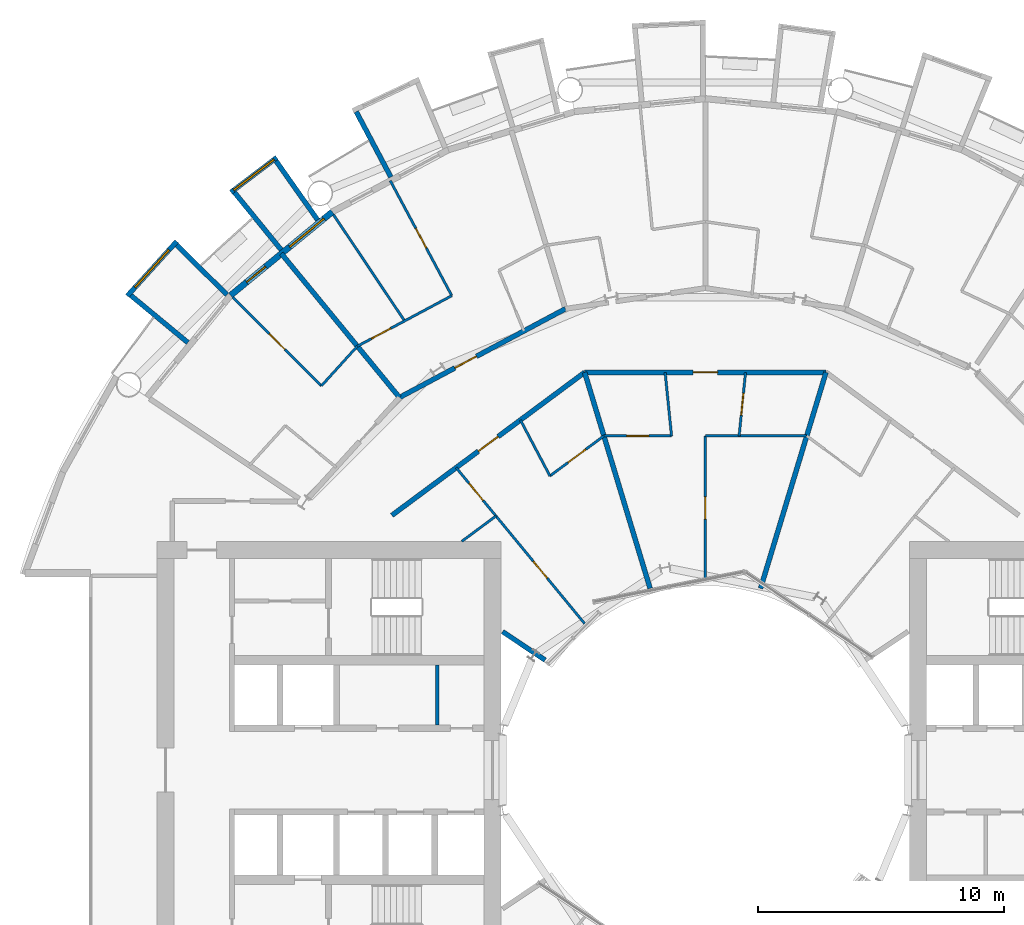
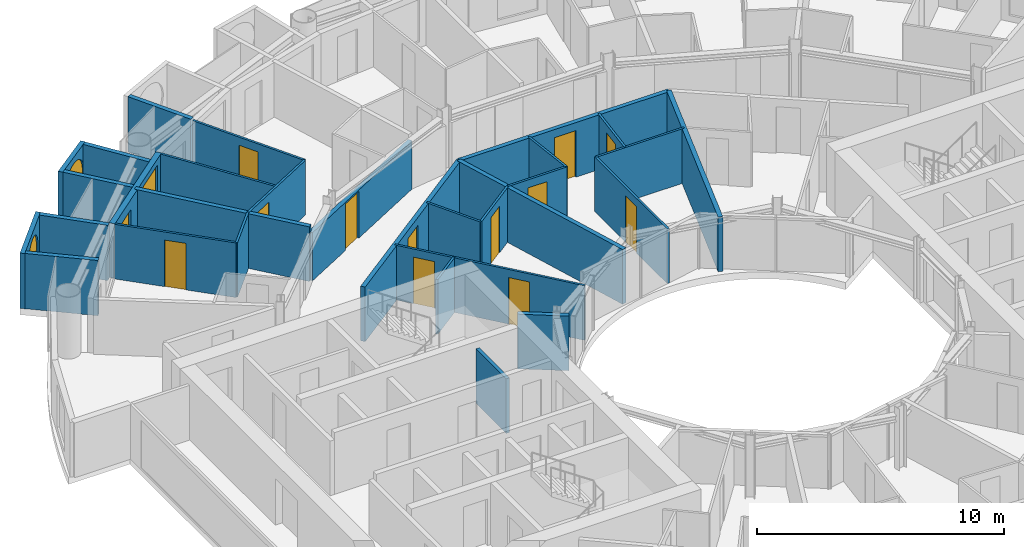
# One storey, part 19 of 26: 30 walls, 13 doors, 3 windows, 16 openings.
"""IFC4 building model written with IfcOpenShell, lengths in metres."""

from ifc_helpers import new_model, si_unit, direction, frame, frame_2d, origin, place, context, subcontext, project, spatial, rectangle, circle, extrude, material, layer, layer_set, type_object, element, fill, save


model = new_model("IFC4")

# Units and contexts
model_context = context("Model", 3, precision=1e-05, world=origin(), true_north=direction((0.0, 1.0)))
body_context = subcontext(model_context, "Body", "Model", "MODEL_VIEW")
ifc_project = project(units=[si_unit("LENGTHUNIT", "METRE"), si_unit("AREAUNIT", "SQUARE_METRE"), si_unit("VOLUMEUNIT", "CUBIC_METRE"), si_unit("PLANEANGLEUNIT", "RADIAN"), si_unit("MASSUNIT", "GRAM", prefix="KILO")], contexts=[model_context])

# Site, building, storey
site_placement = place(None, origin())
site = spatial("IfcSite", under=ifc_project, at=site_placement, CompositionType="ELEMENT")
building_placement = place(site_placement, origin())
building = spatial("IfcBuilding", under=site, at=building_placement, Name="Maasbend Ring Residences", CompositionType="ELEMENT")
storey_placement = place(building_placement, frame((0.0, 0.0, 78.85009765625)))
storey = spatial("IfcBuildingStorey", under=building, at=storey_placement, Name="L22", CompositionType="ELEMENT", Elevation=78.85009765625)

# Wall, opening, door
ifc_material_1 = material(Name="Concrete C30/37", Category="concrete")
ifc_layer_1 = layer(ifc_material_1, 0.199951171875)
ifc_layer_set_1 = layer_set([ifc_layer_1], Name="Concrete C30/37")
wall_type_1 = type_object("IfcWallType", Name="CORRIDOR WALL 200 CONCRETE", PredefinedType="PARTITIONING", material=ifc_layer_set_1)
wall_1_placement = place(storey_placement, frame((-12.7451171875, 10.35791015625, 0.0), z_axis=(0.0, 0.0, 1.0), x_axis=(0.803191461888, 0.595720971219, 0.0)))
wall_1 = element("IfcWall", 1, at=wall_1_placement, inside=storey, type_object=wall_type_1, Name="U-L22-w104", PredefinedType="PARTITIONING", context=body_context, shape_type="SweptSolid", body=[
    extrude(rectangle(XDim=9.760009765625, YDim=0.199951171875, at=frame_2d((4.8798828125, 0.0))), origin(), (0.0, 0.0, 1.0), 2.699951171875),
])
opening_1_placement = place(wall_1_placement, frame((4.3798828125, 0.0, 0.0)))
opening_1 = element("IfcOpeningElement", 2, at=opening_1_placement, cuts=wall_1, Name="Opening D-2229", PredefinedType="OPENING", context=body_context, shape_type="SweptSolid", body=[
    extrude(rectangle(XDim=1.0, YDim=2.300048828125, at=frame_2d((0.5, 1.14990234375))), frame((0.0, 0.10986328125, 0.0), z_axis=(0.0, -1.0, 0.0), x_axis=(1.0, 0.0, 0.0)), (0.0, 0.0, 1.0), 0.219970703125),
])
ifc_material_2 = material(Name="Timber, fire-rated, painted", Category="wood")
door_type_1 = type_object("IfcDoorType", Name="FLAT ENTRANCE DOOR 1000 X 2300 FIRE-RATED", OperationType="NOTDEFINED", PredefinedType="DOOR", material=ifc_material_2)
door_1_placement = place(opening_1_placement, origin())
door_1 = element("IfcDoor", 3, at=door_1_placement, inside=storey, type_object=door_type_1, Name="D-2229", OperationType="SINGLE_SWING_RIGHT", OverallHeight=2.300048828125, OverallWidth=1.0, PredefinedType="DOOR", context=body_context, shape_type="SweptSolid", body=[
    extrude(rectangle(XDim=1.0, YDim=2.300048828125, at=frame_2d((0.5, 1.14990234375))), frame((0.0, 0.02490234375, 0.0), z_axis=(0.0, -1.0, 0.0), x_axis=(1.0, 0.0, 0.0)), (0.0, 0.0, 1.0), 0.050048828125),
])
fill(opening_1, door_1)

wall_2_placement = place(storey_placement, frame((-4.906005859375, 16.172119140625, 0.0), z_axis=(0.0, 0.0, 1.0), x_axis=(1.0, 0.0, 0.0)))
wall_2 = element("IfcWall", 4, at=wall_2_placement, inside=storey, type_object=wall_type_1, Name="U-L22-w106", PredefinedType="PARTITIONING", context=body_context, shape_type="SweptSolid", body=[
    extrude(rectangle(XDim=9.81201171875, YDim=0.199951171875, at=frame_2d((4.906005859375, 0.0))), origin(), (0.0, 0.0, 1.0), 2.699951171875),
])
opening_2_placement = place(wall_2_placement, frame((4.406005859375, 0.0, 0.0)))
opening_2 = element("IfcOpeningElement", 5, at=opening_2_placement, cuts=wall_2, Name="Opening D-2225", PredefinedType="OPENING", context=body_context, shape_type="SweptSolid", body=[
    extrude(rectangle(XDim=1.0, YDim=2.300048828125, at=frame_2d((0.5, 1.14990234375))), frame((0.0, 0.10986328125, 0.0), z_axis=(0.0, -1.0, 0.0), x_axis=(1.0, 0.0, 0.0)), (0.0, 0.0, 1.0), 0.219970703125),
])
door_2_placement = place(opening_2_placement, origin())
door_2 = element("IfcDoor", 6, at=door_2_placement, inside=storey, type_object=door_type_1, Name="D-2225", OperationType="SINGLE_SWING_LEFT", OverallHeight=2.300048828125, OverallWidth=1.0, PredefinedType="DOOR", context=body_context, shape_type="SweptSolid", body=[
    extrude(rectangle(XDim=1.0, YDim=2.300048828125, at=frame_2d((0.5, 1.14990234375))), frame((0.0, 0.02490234375, 0.0), z_axis=(0.0, -1.0, 0.0), x_axis=(1.0, 0.0, 0.0)), (0.0, 0.0, 1.0), 0.050048828125),
])
fill(opening_2, door_2)

wall_3_placement = place(storey_placement, frame((-12.43408203125, 15.15087890625, 0.0), z_axis=(0.0, 0.0, 1.0), x_axis=(0.881899173092, 0.47143806433, 0.0)))
wall_3 = element("IfcWall", 7, at=wall_3_placement, inside=storey, type_object=wall_type_1, Name="U-L22-w107", PredefinedType="PARTITIONING", context=body_context, shape_type="SweptSolid", body=[
    extrude(rectangle(XDim=7.647216796875, YDim=0.199951171875, at=frame_2d((3.82373046875, 0.0))), origin(), (0.0, 0.0, 1.0), 2.3798828125),
])
opening_3_placement = place(wall_3_placement, frame((2.550048828125, 0.0, 0.0)))
opening_3 = element("IfcOpeningElement", 8, at=opening_3_placement, cuts=wall_3, Name="Opening D-2214", PredefinedType="OPENING", context=body_context, shape_type="SweptSolid", body=[
    extrude(rectangle(XDim=1.0, YDim=2.300048828125, at=frame_2d((0.5, 1.14990234375))), frame((0.0, 0.10986328125, 0.0), z_axis=(0.0, -1.0, 0.0), x_axis=(1.0, 0.0, 0.0)), (0.0, 0.0, 1.0), 0.219970703125),
])
door_3_placement = place(opening_3_placement, origin())
door_3 = element("IfcDoor", 9, at=door_3_placement, inside=storey, type_object=door_type_1, Name="D-2214", OperationType="SINGLE_SWING_LEFT", OverallHeight=2.300048828125, OverallWidth=1.0, PredefinedType="DOOR", context=body_context, shape_type="SweptSolid", body=[
    extrude(rectangle(XDim=1.0, YDim=2.300048828125, at=frame_2d((0.5, 1.14990234375))), frame((0.0, 0.02490234375, 0.0), z_axis=(0.0, -1.0, 0.0), x_axis=(1.0, 0.0, 0.0)), (0.0, 0.0, 1.0), 0.050048828125),
])
fill(opening_3, door_3)

# Wall
ifc_material_3 = material(Name="Pale anodised aluminium panel", Category="aluminium")
ifc_layer_2 = layer(ifc_material_3, 0.199951171875)
ifc_layer_set_2 = layer_set([ifc_layer_2], Name="EW-BOX")
wall_type_2 = type_object("IfcWallType", Name="EW-BOX", PredefinedType="SOLIDWALL", material=ifc_layer_set_2)
wall_4_placement = place(storey_placement, frame((-12.787109375, 24.113037109375, -0.030029296875), z_axis=(0.0, 0.0, 1.0), x_axis=(-0.468365282436, 0.883534924159, 0.0)))
element("IfcWall", 10, at=wall_4_placement, inside=storey, type_object=wall_type_2, Name="Box side wall N15 right", PredefinedType="SOLIDWALL", context=body_context, shape_type="SweptSolid", body=[
    extrude(rectangle(XDim=3.006103515625, YDim=0.199951171875, at=frame_2d((1.5029296875, 0.0))), origin(), (0.0, 0.0, 1.0), 2.72998046875),
])

# Wall, opening, window
wall_5_placement = place(storey_placement, frame((-17.427001953125, 24.908935546875, -0.030029296875), z_axis=(0.0, 0.0, 1.0), x_axis=(-0.796842165306, -0.60418752353, 0.0)))
wall_5 = element("IfcWall", 11, at=wall_5_placement, inside=storey, type_object=wall_type_2, Name="Box front N17", PredefinedType="SOLIDWALL", context=body_context, shape_type="SweptSolid", body=[
    extrude(rectangle(XDim=2.3369140625, YDim=0.199951171875, at=frame_2d((1.16845703125, 0.0))), origin(), (0.0, 0.0, 1.0), 2.72998046875),
])
opening_4_placement = place(wall_5_placement, frame((0.128173828125, 0.0, 0.330078125)))
opening_4 = element("IfcOpeningElement", 12, at=opening_4_placement, cuts=wall_5, Name="Opening W-RD", PredefinedType="OPENING", context=body_context, shape_type="SweptSolid", body=[
    extrude(circle(Radius=1.0400390625, at=frame_2d((1.0400390625, 1.0400390625))), frame((0.0, 0.10986328125, 0.0), z_axis=(0.0, -1.0, 0.0), x_axis=(1.0, 0.0, 0.0)), (0.0, 0.0, 1.0), 0.219970703125),
])
ifc_material_4 = material(Name="Aluminium and clear glass", Category="aluminium")
window_type_1 = type_object("IfcWindowType", Name="W-RD", PartitioningType="SINGLE_PANEL", PredefinedType="WINDOW", material=ifc_material_4)
window_1_placement = place(opening_4_placement, origin())
window_1 = element("IfcWindow", 13, at=window_1_placement, inside=storey, type_object=window_type_1, Name="Round window N17", OverallHeight=2.080078125, OverallWidth=2.080078125, PartitioningType="SINGLE_PANEL", PredefinedType="WINDOW", context=body_context, shape_type="SweptSolid", body=[
    extrude(circle(Radius=1.0400390625, at=frame_2d((1.0400390625, 1.0400390625))), frame((0.0, 0.030029296875, 0.0), z_axis=(0.0, -1.0, 0.0), x_axis=(1.0, 0.0, 0.0)), (0.0, 0.0, 1.0), 0.06005859375),
])
fill(opening_4, window_1)

# Walls
wall_6_placement = place(storey_placement, frame((-15.764892578125, 22.3701171875, -0.030029296875), z_axis=(0.0, 0.0, 1.0), x_axis=(-0.576274612209, 0.817256123454, 0.0)))
element("IfcWall", 14, at=wall_6_placement, inside=storey, type_object=wall_type_2, Name="Box side wall N17 left", PredefinedType="SOLIDWALL", context=body_context, shape_type="SweptSolid", body=[
    extrude(rectangle(XDim=2.932861328125, YDim=0.199951171875, at=frame_2d((1.46630859375, 0.0))), origin(), (0.0, 0.0, 1.0), 2.72998046875),
])
wall_7_placement = place(storey_placement, frame((-17.24609375, 21.155029296875, -0.030029296875), z_axis=(0.0, 0.0, 1.0), x_axis=(-0.631741648902, 0.775179004516, 0.0)))
element("IfcWall", 15, at=wall_7_placement, inside=storey, type_object=wall_type_2, Name="Box side wall N17 right", PredefinedType="SOLIDWALL", context=body_context, shape_type="SweptSolid", body=[
    extrude(rectangle(XDim=3.005859375, YDim=0.199951171875, at=frame_2d((1.5029296875, 0.0))), origin(), (0.0, 0.0, 1.0), 2.72998046875),
])

# Wall, opening, window
wall_8_placement = place(storey_placement, frame((-21.492919921875, 21.5, -0.030029296875), z_axis=(0.0, 0.0, 1.0), x_axis=(-0.671506829416, -0.740998365753, 0.0)))
wall_8 = element("IfcWall", 16, at=wall_8_placement, inside=storey, type_object=wall_type_2, Name="Box front N19", PredefinedType="SOLIDWALL", context=body_context, shape_type="SweptSolid", body=[
    extrude(rectangle(XDim=2.9931640625, YDim=0.199951171875, at=frame_2d((1.49658203125, 0.0))), origin(), (0.0, 0.0, 1.0), 2.72998046875),
])
opening_5_placement = place(wall_8_placement, frame((0.45654296875, 0.0, 0.330078125)))
opening_5 = element("IfcOpeningElement", 17, at=opening_5_placement, cuts=wall_8, Name="Opening W-RD", PredefinedType="OPENING", context=body_context, shape_type="SweptSolid", body=[
    extrude(circle(Radius=1.0400390625, at=frame_2d((1.0400390625, 1.0400390625))), frame((0.0, 0.10986328125, 0.0), z_axis=(0.0, -1.0, 0.0), x_axis=(1.0, 0.0, 0.0)), (0.0, 0.0, 1.0), 0.219970703125),
])
window_2_placement = place(opening_5_placement, origin())
window_2 = element("IfcWindow", 18, at=window_2_placement, inside=storey, type_object=window_type_1, Name="Round window N19", OverallHeight=2.080078125, OverallWidth=2.080078125, PartitioningType="SINGLE_PANEL", PredefinedType="WINDOW", context=body_context, shape_type="SweptSolid", body=[
    extrude(circle(Radius=1.0400390625, at=frame_2d((1.0400390625, 1.0400390625))), frame((0.0, 0.030029296875, 0.0), z_axis=(0.0, -1.0, 0.0), x_axis=(1.0, 0.0, 0.0)), (0.0, 0.0, 1.0), 0.06005859375),
])
fill(opening_5, window_2)

# Walls
wall_9_placement = place(storey_placement, frame((-19.449951171875, 19.322998046875, -0.030029296875), z_axis=(0.0, 0.0, 1.0), x_axis=(-0.709727076896, 0.704476739375, 0.0)))
element("IfcWall", 19, at=wall_9_placement, inside=storey, type_object=wall_type_2, Name="Box side wall N19 left", PredefinedType="SOLIDWALL", context=body_context, shape_type="SweptSolid", body=[
    extrude(rectangle(XDim=2.883056640625, YDim=0.199951171875, at=frame_2d((1.44140625, 0.0))), origin(), (0.0, 0.0, 1.0), 2.72998046875),
])
wall_10_placement = place(storey_placement, frame((-21.041015625, 17.384033203125, -0.030029296875), z_axis=(0.0, 0.0, 1.0), x_axis=(-0.770784861449, 0.63709551667, 0.0)))
element("IfcWall", 20, at=wall_10_placement, inside=storey, type_object=wall_type_2, Name="Box side wall N19 right", PredefinedType="SOLIDWALL", context=body_context, shape_type="SweptSolid", body=[
    extrude(rectangle(XDim=3.005859375, YDim=0.199951171875, at=frame_2d((1.5029296875, 0.0))), origin(), (0.0, 0.0, 1.0), 2.72998046875),
])

# Wall, openings, door, window
ifc_material_5 = material(Name="Aluminium clad insulated panel", Category="aluminium")
ifc_layer_3 = layer(ifc_material_5, 0.25)
ifc_layer_set_3 = layer_set([ifc_layer_3], Name="EW-GL")
wall_type_3 = type_object("IfcWallType", Name="EW-GL", PredefinedType="SOLIDWALL", material=ifc_layer_set_3)
wall_11_placement = place(storey_placement, frame((-15.1669921875, 22.698974609375, 0.0), z_axis=(0.0, 0.0, 1.0), x_axis=(-0.773019449054, -0.634382322723, 0.0)))
wall_11 = element("IfcWall", 21, at=wall_11_placement, inside=storey, type_object=wall_type_3, Name="External wall N09", PredefinedType="SOLIDWALL", context=body_context, shape_type="SweptSolid", body=[
    extrude(rectangle(XDim=5.351806640625, YDim=0.25, at=frame_2d((2.67578125, 0.0))), origin(), (0.0, 0.0, 1.0), 2.699951171875),
])
opening_6_placement = place(wall_11_placement, frame((0.441162109375, 0.0, 0.300048828125)))
opening_6 = element("IfcOpeningElement", 22, at=opening_6_placement, cuts=wall_11, Name="Opening W-BX", PredefinedType="OPENING", context=body_context, shape_type="SweptSolid", body=[
    extrude(rectangle(XDim=1.800048828125, YDim=2.10009765625, at=frame_2d((0.89990234375, 1.050048828125))), frame((0.0, 0.135009765625, 0.0), z_axis=(0.0, -1.0, 0.0), x_axis=(1.0, 0.0, 0.0)), (0.0, 0.0, 1.0), 0.27001953125),
])
opening_7_placement = place(wall_11_placement, frame((3.510498046875, 0.0, 0.0)))
opening_7 = element("IfcOpeningElement", 23, at=opening_7_placement, cuts=wall_11, Name="Opening D-LG", PredefinedType="OPENING", context=body_context, shape_type="SweptSolid", body=[
    extrude(rectangle(XDim=1.0, YDim=2.199951171875, at=frame_2d((0.5, 1.10009765625))), frame((0.0, 0.135009765625, 0.0), z_axis=(0.0, -1.0, 0.0), x_axis=(1.0, 0.0, 0.0)), (0.0, 0.0, 1.0), 0.27001953125),
])
ifc_material_6 = material(Name="Aluminium and clear glass", Category="aluminium")
door_type_2 = type_object("IfcDoorType", Name="D-LG", OperationType="SINGLE_SWING_LEFT", PredefinedType="DOOR", material=ifc_material_6)
door_4_placement = place(opening_7_placement, origin())
door_4 = element("IfcDoor", 24, at=door_4_placement, inside=storey, type_object=door_type_2, Name="Loggia door N18", OperationType="SINGLE_SWING_LEFT", OverallHeight=2.199951171875, OverallWidth=1.0, PredefinedType="DOOR", context=body_context, shape_type="SweptSolid", body=[
    extrude(rectangle(XDim=1.0, YDim=2.199951171875, at=frame_2d((0.5, 1.10009765625))), frame((0.0, 0.02490234375, 0.0), z_axis=(0.0, -1.0, 0.0), x_axis=(1.0, 0.0, 0.0)), (0.0, 0.0, 1.0), 0.050048828125),
])
fill(opening_7, door_4)
ifc_material_7 = material(Name="Aluminium and clear glass", Category="aluminium")
window_type_2 = type_object("IfcWindowType", Name="W-BX", PartitioningType="DOUBLE_PANEL_VERTICAL", PredefinedType="WINDOW", material=ifc_material_7)
window_3_placement = place(opening_6_placement, origin())
window_3 = element("IfcWindow", 25, at=window_3_placement, inside=storey, type_object=window_type_2, Name="Window N17 room to box", OverallHeight=2.10009765625, OverallWidth=1.800048828125, PartitioningType="SINGLE_PANEL", PredefinedType="WINDOW", context=body_context, shape_type="SweptSolid", body=[
    extrude(rectangle(XDim=1.800048828125, YDim=2.10009765625, at=frame_2d((0.89990234375, 1.050048828125))), frame((0.0, 0.030029296875, 0.0), z_axis=(0.0, -1.0, 0.0), x_axis=(1.0, 0.0, 0.0)), (0.0, 0.0, 1.0), 0.06005859375),
])
fill(opening_6, window_3)

# Wall, opening, door
ifc_material_8 = material(Name="Gypsum board on steel studs", Category="steel")
ifc_layer_4 = layer(ifc_material_8, 0.10009765625)
ifc_layer_set_4 = layer_set([ifc_layer_4], Name="PARTITION 100 GYPSUM")
wall_type_4 = type_object("IfcWallType", Name="PARTITION 100 GYPSUM", PredefinedType="PARTITIONING", material=ifc_layer_set_4)
wall_12_placement = place(storey_placement, frame((-19.2109375, 19.220947265625, 0.0), z_axis=(0.0, 0.0, 1.0), x_axis=(0.706914880313, -0.707298629994, 0.0)))
wall_12 = element("IfcWall", 26, at=wall_12_placement, inside=storey, type_object=wall_type_4, Name="U-L22-w038", PredefinedType="PARTITIONING", context=body_context, shape_type="SweptSolid", body=[
    extrude(rectangle(XDim=5.089599609375, YDim=0.10009765625, at=frame_2d((2.544921875, 0.0))), origin(), (0.0, 0.0, 1.0), 2.699951171875),
])
opening_8_placement = place(wall_12_placement, frame((2.094970703125, 0.0, 0.0)))
opening_8 = element("IfcOpeningElement", 27, at=opening_8_placement, cuts=wall_12, Name="Opening D-2220", PredefinedType="OPENING", context=body_context, shape_type="SweptSolid", body=[
    extrude(rectangle(XDim=0.89990234375, YDim=2.300048828125, at=frame_2d((0.449951171875, 1.14990234375))), frame((0.0, 0.06005859375, 0.0), z_axis=(0.0, -1.0, 0.0), x_axis=(1.0, 0.0, 0.0)), (0.0, 0.0, 1.0), 0.1201171875),
])
ifc_material_9 = material(Name="Timber, painted", Category="wood")
door_type_3 = type_object("IfcDoorType", Name="INTERNAL DOOR 900 X 2300", OperationType="NOTDEFINED", PredefinedType="DOOR", material=ifc_material_9)
door_5_placement = place(opening_8_placement, origin())
door_5 = element("IfcDoor", 28, at=door_5_placement, inside=storey, type_object=door_type_3, Name="D-2220", OperationType="SINGLE_SWING_LEFT", OverallHeight=2.300048828125, OverallWidth=0.89990234375, PredefinedType="DOOR", context=body_context, shape_type="SweptSolid", body=[
    extrude(rectangle(XDim=0.89990234375, YDim=2.300048828125, at=frame_2d((0.449951171875, 1.14990234375))), frame((0.0, 0.02490234375, 0.0), z_axis=(0.0, -1.0, 0.0), x_axis=(1.0, 0.0, 0.0)), (0.0, 0.0, 1.0), 0.050048828125),
])
fill(opening_8, door_5)

# Wall
wall_13_placement = place(storey_placement, frame((-15.118896484375, 22.5810546875, 0.0), z_axis=(0.0, 0.0, 1.0), x_axis=(0.556271707676, -0.83100047367, 0.0)))
element("IfcWall", 29, at=wall_13_placement, inside=storey, type_object=wall_type_4, Name="U-L22-w044", PredefinedType="PARTITIONING", context=body_context, shape_type="SweptSolid", body=[
    extrude(rectangle(XDim=5.195068359375, YDim=0.10009765625, at=frame_2d((2.59765625, 0.0))), origin(), (0.0, 0.0, 1.0), 2.699951171875),
])

# Wall, opening, door
wall_14_placement = place(storey_placement, frame((-12.81005859375, 23.966064453125, 0.0), z_axis=(0.0, 0.0, 1.0), x_axis=(0.47140999111, -0.881914179658, 0.0)))
wall_14 = element("IfcWall", 30, at=wall_14_placement, inside=storey, type_object=wall_type_4, Name="U-L22-w045", PredefinedType="PARTITIONING", context=body_context, shape_type="SweptSolid", body=[
    extrude(rectangle(XDim=5.30322265625, YDim=0.10009765625, at=frame_2d((2.651611328125, 0.0))), origin(), (0.0, 0.0, 1.0), 2.699951171875),
])
opening_9_placement = place(wall_14_placement, frame((2.201904296875, 0.0, 0.0)))
opening_9 = element("IfcOpeningElement", 31, at=opening_9_placement, cuts=wall_14, Name="Opening D-2216", PredefinedType="OPENING", context=body_context, shape_type="SweptSolid", body=[
    extrude(rectangle(XDim=0.89990234375, YDim=2.300048828125, at=frame_2d((0.449951171875, 1.14990234375))), frame((0.0, 0.06005859375, 0.0), z_axis=(0.0, -1.0, 0.0), x_axis=(1.0, 0.0, 0.0)), (0.0, 0.0, 1.0), 0.1201171875),
])
door_6_placement = place(opening_9_placement, origin())
door_6 = element("IfcDoor", 32, at=door_6_placement, inside=storey, type_object=door_type_3, Name="D-2216", OperationType="SINGLE_SWING_RIGHT", OverallHeight=2.300048828125, OverallWidth=0.89990234375, PredefinedType="DOOR", context=body_context, shape_type="SweptSolid", body=[
    extrude(rectangle(XDim=0.89990234375, YDim=2.300048828125, at=frame_2d((0.449951171875, 1.14990234375))), frame((0.0, 0.02490234375, 0.0), z_axis=(0.0, -1.0, 0.0), x_axis=(1.0, 0.0, 0.0)), (0.0, 0.0, 1.0), 0.050048828125),
])
fill(opening_9, door_6)

# Wall, openings, doors
wall_15_placement = place(storey_placement, frame((-10.132080078125, 12.2958984375, 0.0), z_axis=(0.0, 0.0, 1.0), x_axis=(0.635976043025, -0.771708800454, 0.0)))
wall_15 = element("IfcWall", 33, at=wall_15_placement, inside=storey, type_object=wall_type_4, Name="U-L22-w050", PredefinedType="PARTITIONING", context=body_context, shape_type="SweptSolid", body=[
    extrude(rectangle(XDim=8.212890625, YDim=0.10009765625, at=frame_2d((4.1064453125, 0.0))), origin(), (0.0, 0.0, 1.0), 2.699951171875),
])
opening_10_placement = place(wall_15_placement, frame((0.822998046875, 0.0, 0.0)))
opening_10 = element("IfcOpeningElement", 34, at=opening_10_placement, cuts=wall_15, Name="Opening D-2231", PredefinedType="OPENING", context=body_context, shape_type="SweptSolid", body=[
    extrude(rectangle(XDim=0.89990234375, YDim=2.300048828125, at=frame_2d((0.449951171875, 1.14990234375))), frame((0.0, 0.06005859375, 0.0), z_axis=(0.0, -1.0, 0.0), x_axis=(1.0, 0.0, 0.0)), (0.0, 0.0, 1.0), 0.1201171875),
])
opening_11_placement = place(wall_15_placement, frame((4.928955078125, 0.0, 0.0)))
opening_11 = element("IfcOpeningElement", 35, at=opening_11_placement, cuts=wall_15, Name="Opening D-2232", PredefinedType="OPENING", context=body_context, shape_type="SweptSolid", body=[
    extrude(rectangle(XDim=0.89990234375, YDim=2.300048828125, at=frame_2d((0.449951171875, 1.14990234375))), frame((0.0, 0.06005859375, 0.0), z_axis=(0.0, -1.0, 0.0), x_axis=(1.0, 0.0, 0.0)), (0.0, 0.0, 1.0), 0.1201171875),
])
door_7_placement = place(opening_10_placement, origin())
door_7 = element("IfcDoor", 36, at=door_7_placement, inside=storey, type_object=door_type_3, Name="D-2231", OperationType="SINGLE_SWING_LEFT", OverallHeight=2.300048828125, OverallWidth=0.89990234375, PredefinedType="DOOR", context=body_context, shape_type="SweptSolid", body=[
    extrude(rectangle(XDim=0.89990234375, YDim=2.300048828125, at=frame_2d((0.449951171875, 1.14990234375))), frame((0.0, 0.02490234375, 0.0), z_axis=(0.0, -1.0, 0.0), x_axis=(1.0, 0.0, 0.0)), (0.0, 0.0, 1.0), 0.050048828125),
])
fill(opening_10, door_7)
door_8_placement = place(opening_11_placement, origin())
door_8 = element("IfcDoor", 37, at=door_8_placement, inside=storey, type_object=door_type_3, Name="D-2232", OperationType="SINGLE_SWING_RIGHT", OverallHeight=2.300048828125, OverallWidth=0.89990234375, PredefinedType="DOOR", context=body_context, shape_type="SweptSolid", body=[
    extrude(rectangle(XDim=0.89990234375, YDim=2.300048828125, at=frame_2d((0.449951171875, 1.14990234375))), frame((0.0, 0.02490234375, 0.0), z_axis=(0.0, -1.0, 0.0), x_axis=(1.0, 0.0, 0.0)), (0.0, 0.0, 1.0), 0.050048828125),
])
fill(opening_11, door_8)

# Walls
wall_16_placement = place(storey_placement, frame((-7.51904296875, 14.23388671875, 0.0), z_axis=(0.0, 0.0, 1.0), x_axis=(0.467001992543, -0.884256263173, 0.0)))
element("IfcWall", 38, at=wall_16_placement, inside=storey, type_object=wall_type_4, Name="U-L22-w055", PredefinedType="PARTITIONING", context=body_context, shape_type="SweptSolid", body=[
    extrude(rectangle(XDim=2.571533203125, YDim=0.10009765625, at=frame_2d((1.28564453125, 0.0))), origin(), (0.0, 0.0, 1.0), 2.699951171875),
])
wall_17_placement = place(storey_placement, frame((-1.635009765625, 16.172119140625, 0.0), z_axis=(0.0, 0.0, 1.0), x_axis=(0.100527855112, -0.994934244233, 0.0)))
element("IfcWall", 39, at=wall_17_placement, inside=storey, type_object=wall_type_4, Name="U-L22-w062", PredefinedType="PARTITIONING", context=body_context, shape_type="SweptSolid", body=[
    extrude(rectangle(XDim=2.59619140625, YDim=0.10009765625, at=frame_2d((1.298095703125, 0.0))), origin(), (0.0, 0.0, 1.0), 2.699951171875),
])

# Wall, opening, door
wall_18_placement = place(storey_placement, frame((0.0, 7.719970703125, 0.0), z_axis=(0.0, 0.0, 1.0), x_axis=(0.0, 1.0, 0.0)))
wall_18 = element("IfcWall", 40, at=wall_18_placement, inside=storey, type_object=wall_type_4, Name="U-L22-w065", PredefinedType="PARTITIONING", context=body_context, shape_type="SweptSolid", body=[
    extrude(rectangle(XDim=5.869140625, YDim=0.10009765625, at=frame_2d((2.9345703125, 0.0))), origin(), (0.0, 0.0, 1.0), 2.699951171875),
])
opening_12_placement = place(wall_18_placement, frame((2.485107421875, 0.0, 0.0)))
opening_12 = element("IfcOpeningElement", 41, at=opening_12_placement, cuts=wall_18, Name="Opening D-2228", PredefinedType="OPENING", context=body_context, shape_type="SweptSolid", body=[
    extrude(rectangle(XDim=0.89990234375, YDim=2.300048828125, at=frame_2d((0.449951171875, 1.14990234375))), frame((0.0, 0.06005859375, 0.0), z_axis=(0.0, -1.0, 0.0), x_axis=(1.0, 0.0, 0.0)), (0.0, 0.0, 1.0), 0.1201171875),
])
door_9_placement = place(opening_12_placement, origin())
door_9 = element("IfcDoor", 42, at=door_9_placement, inside=storey, type_object=door_type_3, Name="D-2228", OperationType="SINGLE_SWING_RIGHT", OverallHeight=2.300048828125, OverallWidth=0.89990234375, PredefinedType="DOOR", context=body_context, shape_type="SweptSolid", body=[
    extrude(rectangle(XDim=0.89990234375, YDim=2.300048828125, at=frame_2d((0.449951171875, 1.14990234375))), frame((0.0, 0.02490234375, 0.0), z_axis=(0.0, -1.0, 0.0), x_axis=(1.0, 0.0, 0.0)), (0.0, 0.0, 1.0), 0.050048828125),
])
fill(opening_12, door_9)

wall_19_placement = place(storey_placement, frame((1.3740234375, 13.589111328125, 0.0), z_axis=(0.0, 0.0, 1.0), x_axis=(0.100527855112, 0.994934244233, 0.0)))
wall_19 = element("IfcWall", 43, at=wall_19_placement, inside=storey, type_object=wall_type_4, Name="U-L22-w067", PredefinedType="PARTITIONING", context=body_context, shape_type="SweptSolid", body=[
    extrude(rectangle(XDim=2.59619140625, YDim=0.10009765625, at=frame_2d((1.298095703125, 0.0))), origin(), (0.0, 0.0, 1.0), 2.699951171875),
])
opening_13_placement = place(wall_19_placement, frame((0.847900390625, 0.0, 0.0)))
opening_13 = element("IfcOpeningElement", 44, at=opening_13_placement, cuts=wall_19, Name="Opening D-2227", PredefinedType="OPENING", context=body_context, shape_type="SweptSolid", body=[
    extrude(rectangle(XDim=0.89990234375, YDim=2.300048828125, at=frame_2d((0.449951171875, 1.14990234375))), frame((0.0, 0.06005859375, 0.0), z_axis=(0.0, -1.0, 0.0), x_axis=(1.0, 0.0, 0.0)), (0.0, 0.0, 1.0), 0.1201171875),
])
door_10_placement = place(opening_13_placement, origin())
door_10 = element("IfcDoor", 45, at=door_10_placement, inside=storey, type_object=door_type_3, Name="D-2227", OperationType="SINGLE_SWING_RIGHT", OverallHeight=2.300048828125, OverallWidth=0.89990234375, PredefinedType="DOOR", context=body_context, shape_type="SweptSolid", body=[
    extrude(rectangle(XDim=0.89990234375, YDim=2.300048828125, at=frame_2d((0.449951171875, 1.14990234375))), frame((0.0, 0.02490234375, 0.0), z_axis=(0.0, -1.0, 0.0), x_axis=(1.0, 0.0, 0.0)), (0.0, 0.0, 1.0), 0.050048828125),
])
fill(opening_13, door_10)

# Wall
wall_20_placement = place(storey_placement, frame((-9.903076171875, 9.300048828125, 0.0), z_axis=(0.0, 0.0, 1.0), x_axis=(0.803135014325, 0.595797070121, 0.0)))
element("IfcWall", 46, at=wall_20_placement, inside=storey, type_object=wall_type_4, Name="U-L22-w098", PredefinedType="PARTITIONING", context=body_context, shape_type="SweptSolid", body=[
    extrude(rectangle(XDim=1.732177734375, YDim=0.10009765625, at=frame_2d((0.8662109375, 0.0))), origin(), (0.0, 0.0, 1.0), 2.699951171875),
])

# Wall, opening, door
wall_21_placement = place(storey_placement, frame((-6.318115234375, 11.9599609375, 0.0), z_axis=(0.0, 0.0, 1.0), x_axis=(0.803128348509, 0.595806055542, 0.0)))
wall_21 = element("IfcWall", 47, at=wall_21_placement, inside=storey, type_object=wall_type_4, Name="U-L22-w099", PredefinedType="PARTITIONING", context=body_context, shape_type="SweptSolid", body=[
    extrude(rectangle(XDim=2.734375, YDim=0.10009765625, at=frame_2d((1.3671875, 0.0))), origin(), (0.0, 0.0, 1.0), 2.699951171875),
])
opening_14_placement = place(wall_21_placement, frame((0.9169921875, 0.0, 0.0)))
opening_14 = element("IfcOpeningElement", 48, at=opening_14_placement, cuts=wall_21, Name="Opening D-2230", PredefinedType="OPENING", context=body_context, shape_type="SweptSolid", body=[
    extrude(rectangle(XDim=0.89990234375, YDim=2.300048828125, at=frame_2d((0.449951171875, 1.14990234375))), frame((0.0, 0.06005859375, 0.0), z_axis=(0.0, -1.0, 0.0), x_axis=(1.0, 0.0, 0.0)), (0.0, 0.0, 1.0), 0.1201171875),
])
door_11_placement = place(opening_14_placement, origin())
door_11 = element("IfcDoor", 49, at=door_11_placement, inside=storey, type_object=door_type_3, Name="D-2230", OperationType="SINGLE_SWING_RIGHT", OverallHeight=2.300048828125, OverallWidth=0.89990234375, PredefinedType="DOOR", context=body_context, shape_type="SweptSolid", body=[
    extrude(rectangle(XDim=0.89990234375, YDim=2.300048828125, at=frame_2d((0.449951171875, 1.14990234375))), frame((0.0, 0.02490234375, 0.0), z_axis=(0.0, -1.0, 0.0), x_axis=(1.0, 0.0, 0.0)), (0.0, 0.0, 1.0), 0.050048828125),
])
fill(opening_14, door_11)

wall_22_placement = place(storey_placement, frame((-4.1220703125, 13.589111328125, 0.0), z_axis=(0.0, 0.0, 1.0), x_axis=(1.0, 0.0, 0.0)))
wall_22 = element("IfcWall", 50, at=wall_22_placement, inside=storey, type_object=wall_type_4, Name="U-L22-w102", PredefinedType="PARTITIONING", context=body_context, shape_type="SweptSolid", body=[
    extrude(rectangle(XDim=2.748046875, YDim=0.10009765625, at=frame_2d((1.3740234375, 0.0))), origin(), (0.0, 0.0, 1.0), 2.699951171875),
])
opening_15_placement = place(wall_22_placement, frame((0.924072265625, 0.0, 0.0)))
opening_15 = element("IfcOpeningElement", 51, at=opening_15_placement, cuts=wall_22, Name="Opening D-2226", PredefinedType="OPENING", context=body_context, shape_type="SweptSolid", body=[
    extrude(rectangle(XDim=0.89990234375, YDim=2.300048828125, at=frame_2d((0.449951171875, 1.14990234375))), frame((0.0, 0.06005859375, 0.0), z_axis=(0.0, -1.0, 0.0), x_axis=(1.0, 0.0, 0.0)), (0.0, 0.0, 1.0), 0.1201171875),
])
door_12_placement = place(opening_15_placement, origin())
door_12 = element("IfcDoor", 52, at=door_12_placement, inside=storey, type_object=door_type_3, Name="D-2226", OperationType="SINGLE_SWING_LEFT", OverallHeight=2.300048828125, OverallWidth=0.89990234375, PredefinedType="DOOR", context=body_context, shape_type="SweptSolid", body=[
    extrude(rectangle(XDim=0.89990234375, YDim=2.300048828125, at=frame_2d((0.449951171875, 1.14990234375))), frame((0.0, 0.02490234375, 0.0), z_axis=(0.0, -1.0, 0.0), x_axis=(1.0, 0.0, 0.0)), (0.0, 0.0, 1.0), 0.050048828125),
])
fill(opening_15, door_12)

# Wall
wall_23_placement = place(storey_placement, frame((0.0, 13.589111328125, 0.0), z_axis=(0.0, 0.0, 1.0), x_axis=(1.0, 0.0, 0.0)))
element("IfcWall", 53, at=wall_23_placement, inside=storey, type_object=wall_type_4, Name="U-L22-w103", PredefinedType="PARTITIONING", context=body_context, shape_type="SweptSolid", body=[
    extrude(rectangle(XDim=4.1220703125, YDim=0.10009765625, at=frame_2d((2.06103515625, 0.0))), origin(), (0.0, 0.0, 1.0), 2.699951171875),
])

# Wall, opening, door
wall_24_placement = place(storey_placement, frame((-14.14794921875, 17.236083984375, 0.0), z_axis=(0.0, 0.0, 1.0), x_axis=(0.881763472003, 0.471691826769, 0.0)))
wall_24 = element("IfcWall", 54, at=wall_24_placement, inside=storey, type_object=wall_type_4, Name="U-L22-w117", PredefinedType="PARTITIONING", context=body_context, shape_type="SweptSolid", body=[
    extrude(rectangle(XDim=4.350341796875, YDim=0.10009765625, at=frame_2d((2.17529296875, 0.0))), origin(), (0.0, 0.0, 1.0), 2.699951171875),
])
opening_16_placement = place(wall_24_placement, frame((0.638916015625, 0.0, 0.0)))
opening_16 = element("IfcOpeningElement", 55, at=opening_16_placement, cuts=wall_24, Name="Opening D-2217", PredefinedType="OPENING", context=body_context, shape_type="SweptSolid", body=[
    extrude(rectangle(XDim=0.89990234375, YDim=2.300048828125, at=frame_2d((0.449951171875, 1.14990234375))), frame((0.0, 0.06005859375, 0.0), z_axis=(0.0, -1.0, 0.0), x_axis=(1.0, 0.0, 0.0)), (0.0, 0.0, 1.0), 0.1201171875),
])
door_13_placement = place(opening_16_placement, origin())
door_13 = element("IfcDoor", 56, at=door_13_placement, inside=storey, type_object=door_type_3, Name="D-2217", OperationType="SINGLE_SWING_LEFT", OverallHeight=2.300048828125, OverallWidth=0.89990234375, PredefinedType="DOOR", context=body_context, shape_type="SweptSolid", body=[
    extrude(rectangle(XDim=0.89990234375, YDim=2.300048828125, at=frame_2d((0.449951171875, 1.14990234375))), frame((0.0, 0.02490234375, 0.0), z_axis=(0.0, -1.0, 0.0), x_axis=(1.0, 0.0, 0.0)), (0.0, 0.0, 1.0), 0.050048828125),
])
fill(opening_16, door_13)

# Walls
wall_25_placement = place(storey_placement, frame((-15.612060546875, 15.6220703125, 0.0), z_axis=(0.0, 0.0, 1.0), x_axis=(0.671674967707, 0.740845960882, 0.0)))
element("IfcWall", 57, at=wall_25_placement, inside=storey, type_object=wall_type_4, Name="U-L22-w122", PredefinedType="PARTITIONING", context=body_context, shape_type="SweptSolid", body=[
    extrude(rectangle(XDim=2.18115234375, YDim=0.10009765625, at=frame_2d((1.090576171875, 0.0))), origin(), (0.0, 0.0, 1.0), 2.699951171875),
])
ifc_material_10 = material(Name="Gypsum board on steel studs", Category="steel")
ifc_layer_5 = layer(ifc_material_10, 0.14990234375)
ifc_layer_set_5 = layer_set([ifc_layer_5], Name="PARTITION 150 EI 60")
wall_type_5 = type_object("IfcWallType", Name="PARTITION 150 EI 60", PredefinedType="PARTITIONING", material=ifc_layer_set_5)
wall_26_placement = place(storey_placement, frame((-10.89990234375, 1.824951171875, 0.0), z_axis=(0.0, 0.0, 1.0), x_axis=(0.0, 1.0, 0.0)))
element("IfcWall", 58, at=wall_26_placement, inside=storey, type_object=wall_type_5, Name="L22 core W wall PRS1090", PredefinedType="PARTITIONING", context=body_context, shape_type="SweptSolid", body=[
    extrude(rectangle(XDim=2.449951171875, YDim=0.14990234375, at=frame_2d((1.22509765625, 0.0))), origin(), (0.0, 0.0, 1.0), 2.699951171875),
])
ifc_material_11 = material(Name="Concrete C30/37", Category="concrete")
ifc_layer_6 = layer(ifc_material_11, 0.199951171875)
ifc_layer_set_6 = layer_set([ifc_layer_6], Name="Concrete C30/37")
wall_type_6 = type_object("IfcWallType", Name="PARTY WALL 200 CONCRETE", PredefinedType="PARTITIONING", material=ifc_layer_set_6)
for number, where, z_axis, x_axis, name in (
    (59, (-4.906982421875, 16.172119140625, 0.0), (0.0, 0.0, 1.0), (0.289977130626, -0.957033575019, 0.0), "U-L22-w034"),
    (60, (2.2451171875, 7.386962890625, 0.0), (0.0, 0.0, 1.0), (0.289977130626, 0.957033575019, 0.0), "U-L22-w035"),
):
    element("IfcWall", number, at=place(storey_placement, frame(where, z_axis=z_axis, x_axis=x_axis)), inside=storey, type_object=wall_type_6, Name=name, PredefinedType="PARTITIONING", context=body_context, shape_type="SweptSolid", body=[
        extrude(rectangle(XDim=9.1796875, YDim=0.199951171875, at=frame_2d((4.58984375, 0.0))), origin(), (0.0, 0.0, 1.0), 2.699951171875),
    ])
wall_27_placement = place(storey_placement, frame((-17.242919921875, 21.0048828125, 0.0), z_axis=(0.0, 0.0, 1.0), x_axis=(0.63447412651, -0.772944100689, 0.0)))
element("IfcWall", 61, at=wall_27_placement, inside=storey, type_object=wall_type_6, Name="U-L22-w040", PredefinedType="PARTITIONING", context=body_context, shape_type="SweptSolid", body=[
    extrude(rectangle(XDim=7.576171875, YDim=0.199951171875, at=frame_2d((3.7880859375, 0.0))), origin(), (0.0, 0.0, 1.0), 2.699951171875),
])
wall_28_placement = place(storey_placement, frame((-6.512939453125, 4.471923828125, 0.0), z_axis=(0.0, 0.0, 1.0), x_axis=(-0.831382204863, 0.555701025225, 0.0)))
element("IfcWall", 62, at=wall_28_placement, inside=storey, type_object=wall_type_6, Name="U-L22-w094", PredefinedType="PARTITIONING", context=body_context, shape_type="SweptSolid", body=[
    extrude(rectangle(XDim=2.08203125, YDim=0.199951171875, at=frame_2d((1.041015625, 0.0))), origin(), (0.0, 0.0, 1.0), 2.699951171875),
])

save(model, "model.ifc")
